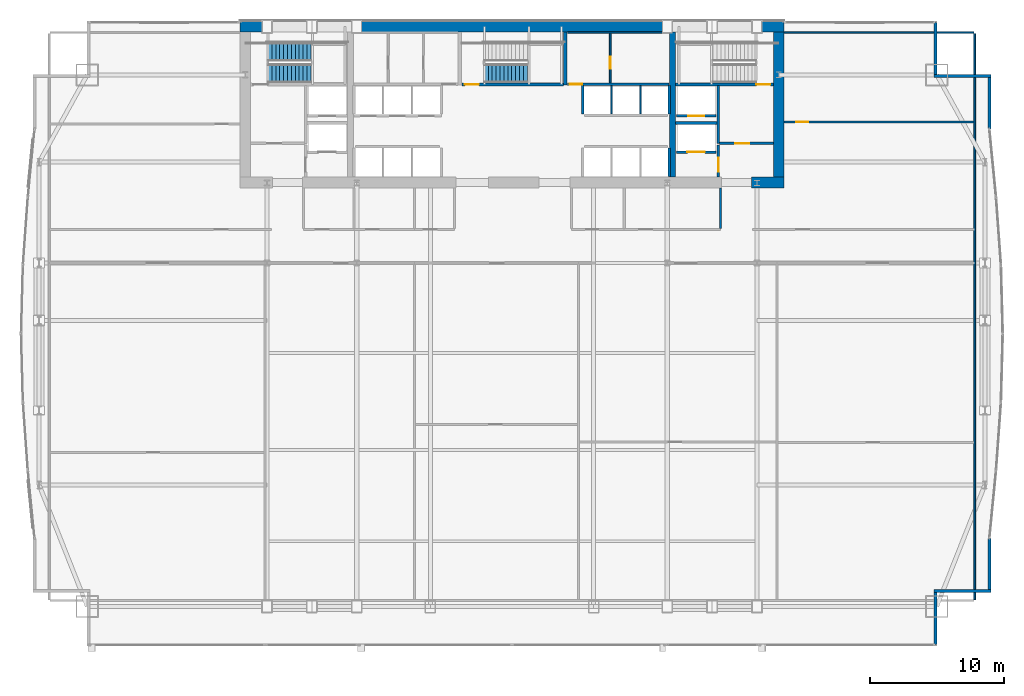
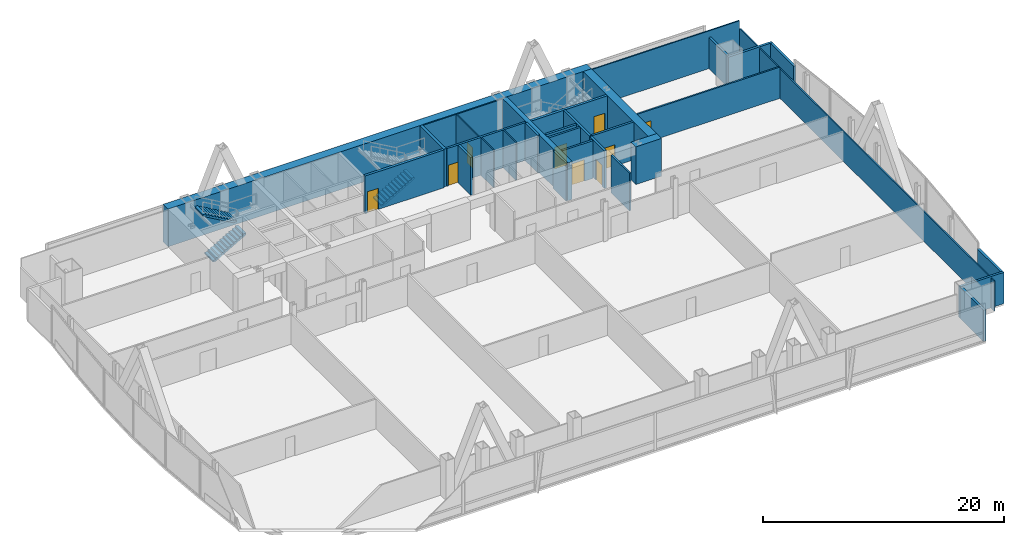
# One storey, part 30 of 33: 31 walls, 9 doors, 3 stair flights, 9 openings, 2 elements without a shape of their own.
"""IFC4 building model written with IfcOpenShell, lengths in metres."""

from ifc_helpers import new_model, si_unit, direction, frame, frame_2d, origin, place, context, subcontext, project, spatial, polyline, rectangle, outline, extrude, material, layer, layer_set, type_object, element, fill, aggregate, save


model = new_model("IFC4")

# Units and contexts
model_context = context("Model", 3, precision=1e-05, world=origin(), true_north=direction((0.0, 1.0)))
body_context = subcontext(model_context, "Body", "Model", "MODEL_VIEW")
ifc_project = project(units=[si_unit("LENGTHUNIT", "METRE"), si_unit("AREAUNIT", "SQUARE_METRE"), si_unit("VOLUMEUNIT", "CUBIC_METRE"), si_unit("PLANEANGLEUNIT", "RADIAN"), si_unit("MASSUNIT", "GRAM", prefix="KILO")], contexts=[model_context])

# Site, building, storey
site_placement = place(None, origin())
site = spatial("IfcSite", under=ifc_project, at=site_placement, CompositionType="ELEMENT")
building_placement = place(site_placement, origin())
building = spatial("IfcBuilding", under=site, at=building_placement, Name="Khoronbel Lancet Exchange", CompositionType="ELEMENT")
storey_placement = place(building_placement, frame((0.0, 0.0, 73.800048828125)))
storey = spatial("IfcBuildingStorey", under=building, at=storey_placement, Name="L17", CompositionType="ELEMENT", Elevation=73.800048828125)

# Walls
ifc_material_1 = material(Name="Concrete C80/95", Category="concrete")
ifc_layer_1 = layer(ifc_material_1, 0.800048828125, Name="Concrete C80/95")
ifc_layer_set_1 = layer_set([ifc_layer_1], Name="Concrete C80/95")
wall_type_1 = type_object("IfcWallType", Name="WL-CW1", PredefinedType="SHEAR", material=ifc_layer_set_1)
wall_1_placement = place(storey_placement, frame((16.199951171875, 53.300048828125, 0.0), z_axis=(0.0, 0.0, 1.0), x_axis=(1.0, 0.0, 0.0)))
element("IfcWall", 1, at=wall_1_placement, inside=storey, type_object=wall_type_1, Name="Level L17 rear core north shear wall", PredefinedType="SHEAR", context=body_context, shape_type="SweptSolid", body=[
    extrude(rectangle(XDim=40.5, YDim=0.800048828125, at=frame_2d((20.25, 0.0))), origin(), (0.0, 0.0, 1.0), 3.820068359375),
])
wall_2_placement = place(storey_placement, frame((56.300048828125, 52.89990234375, 0.0), z_axis=(0.0, 0.0, 1.0), x_axis=(0.0, -1.0, 0.0)))
element("IfcWall", 2, at=wall_2_placement, inside=storey, type_object=wall_type_1, Name="Level L17 rear core east shear wall", PredefinedType="SHEAR", context=body_context, shape_type="SweptSolid", body=[
    extrude(rectangle(XDim=10.7998046875, YDim=0.800048828125, at=frame_2d((5.39990234375, 0.0))), origin(), (0.0, 0.0, 1.0), 3.820068359375),
])
wall_3_placement = place(storey_placement, frame((56.699951171875, 41.699951171875, 0.0), z_axis=(0.0, 0.0, 1.0), x_axis=(-1.0, 0.0, 0.0)))
element("IfcWall", 3, at=wall_3_placement, inside=storey, type_object=wall_type_1, Name="Level L17 rear core south shear wall pier P5", PredefinedType="SHEAR", context=body_context, shape_type="SweptSolid", body=[
    extrude(rectangle(XDim=2.449951171875, YDim=0.800048828125, at=frame_2d((1.22509765625, 0.0))), origin(), (0.0, 0.0, 1.0), 3.820068359375),
])
ifc_material_2 = material(Name="Precast concrete C40/50", Category="concrete")
ifc_layer_2 = layer(ifc_material_2, 0.25, Name="Precast concrete C40/50")
ifc_layer_set_2 = layer_set([ifc_layer_2], Name="Precast concrete C40/50")
wall_type_2 = type_object("IfcWallType", Name="WL-EXT250", PredefinedType="SOLIDWALL", material=ifc_layer_set_2)
wall_4_placement = place(storey_placement, frame((67.9599609375, 53.6298828125, 0.0), z_axis=(0.0, 0.0, 1.0), x_axis=(0.0, -1.0, 0.0)))
element("IfcWall", 4, at=wall_4_placement, inside=storey, type_object=wall_type_2, Name="Level L17 notched-corner limestone pier 14", PredefinedType="SOLIDWALL", context=body_context, shape_type="SweptSolid", body=[
    extrude(rectangle(XDim=3.909912109375, YDim=0.219970703125, at=frame_2d((1.955078125, 0.0))), origin(), (0.0, 0.0, 1.0), 3.159912109375),
])
wall_5_placement = place(storey_placement, frame((67.85009765625, 49.610107421875, 0.0), z_axis=(0.0, 0.0, 1.0), x_axis=(1.0, 0.0, 0.0)))
element("IfcWall", 5, at=wall_5_placement, inside=storey, type_object=wall_type_2, Name="Level L17 notched-corner limestone pier 15", PredefinedType="SOLIDWALL", context=body_context, shape_type="SweptSolid", body=[
    extrude(rectangle(XDim=4.219970703125, YDim=0.219970703125, at=frame_2d((2.10986328125, 0.0))), origin(), (0.0, 0.0, 1.0), 3.159912109375),
])
for number, where, z_axis, x_axis, name in (
    (6, (71.9599609375, 49.5, 0.0), (0.0, 0.0, 1.0), (0.0, -1.0, 0.0), "Level L17 notched-corner limestone pier 16"),
    (7, (71.9599609375, 15.224365234375, 0.0), (0.0, 0.0, 1.0), (0.0, -1.0, 0.0), "Level L17 notched-corner limestone pier 23"),
):
    element("IfcWall", number, at=place(storey_placement, frame(where, z_axis=z_axis, x_axis=x_axis)), inside=storey, type_object=wall_type_2, Name=name, PredefinedType="SOLIDWALL", context=body_context, shape_type="SweptSolid", body=[
        extrude(rectangle(XDim=3.824462890625, YDim=0.219970703125, at=frame_2d((1.912109375, 0.0))), origin(), (0.0, 0.0, 1.0), 3.159912109375),
    ])
wall_6_placement = place(storey_placement, frame((72.070068359375, 11.2900390625, 0.0), z_axis=(0.0, 0.0, 1.0), x_axis=(-1.0, 0.0, 0.0)))
element("IfcWall", 8, at=wall_6_placement, inside=storey, type_object=wall_type_2, Name="Level L17 notched-corner limestone pier 24", PredefinedType="SOLIDWALL", context=body_context, shape_type="SweptSolid", body=[
    extrude(rectangle(XDim=4.219970703125, YDim=0.219970703125, at=frame_2d((2.10986328125, 0.0))), origin(), (0.0, 0.0, 1.0), 3.159912109375),
])
wall_7_placement = place(storey_placement, frame((67.9599609375, 11.179931640625, 0.0), z_axis=(0.0, 0.0, 1.0), x_axis=(0.0, -1.0, 0.0)))
element("IfcWall", 9, at=wall_7_placement, inside=storey, type_object=wall_type_2, Name="Level L17 notched-corner limestone pier 25", PredefinedType="SOLIDWALL", context=body_context, shape_type="SweptSolid", body=[
    extrude(rectangle(XDim=3.909912109375, YDim=0.219970703125, at=frame_2d((1.955078125, 0.0))), origin(), (0.0, 0.0, 1.0), 3.159912109375),
])
ifc_material_3 = material(Name="Acoustic Metal-Stud & Mineral-Wool Gypsum Partition 120 mm", Category="gypsum")
ifc_layer_3 = layer(ifc_material_3, 0.1201171875, Name="Acoustic Metal-Stud & Mineral-Wool Gypsum Partition 120 mm")
ifc_layer_set_3 = layer_set([ifc_layer_3], Name="Acoustic Metal-Stud & Mineral-Wool Gypsum Partition 120 mm")
wall_type_3 = type_object("IfcWallType", Name="WL-PRT120", PredefinedType="PARTITIONING", material=ifc_layer_set_3)
wall_8_placement = place(storey_placement, frame((51.949951171875, 38.280029296875, 0.0), z_axis=(0.0, 0.0, 1.0), x_axis=(0.0, 1.0, 0.0)))
element("IfcWall", 10, at=wall_8_placement, inside=storey, type_object=wall_type_3, Name="Level L17 interior partition PW-NP-1", PredefinedType="PARTITIONING", context=body_context, shape_type="SweptSolid", body=[
    extrude(rectangle(XDim=3.02001953125, YDim=0.14990234375, at=frame_2d((1.510009765625, 0.0))), origin(), (0.0, 0.0, 1.0), 3.820068359375),
])

# Wall, opening, door
wall_9_placement = place(storey_placement, frame((56.699951171875, 46.199951171875, 0.0), z_axis=(0.0, 0.0, 1.0), x_axis=(1.0, 0.0, 0.0)))
wall_9 = element("IfcWall", 11, at=wall_9_placement, inside=storey, type_object=wall_type_3, Name="Level L17 interior partition PW-NE-H", PredefinedType="PARTITIONING", context=body_context, shape_type="SweptSolid", body=[
    extrude(rectangle(XDim=14.10498046875, YDim=0.14990234375, at=frame_2d((7.052490234375, 0.0))), origin(), (0.0, 0.0, 1.0), 3.159912109375),
])
opening_1_placement = place(wall_9_placement, frame((0.89990234375, 0.0, 0.0)))
opening_1 = element("IfcOpeningElement", 12, at=opening_1_placement, cuts=wall_9, Name="Opening D5", PredefinedType="OPENING", context=body_context, shape_type="SweptSolid", body=[
    extrude(rectangle(XDim=0.89990234375, YDim=2.050048828125, at=frame_2d((0.449951171875, 1.02490234375))), frame((0.0, 0.0849609375, 0.0), z_axis=(0.0, -1.0, 0.0), x_axis=(1.0, 0.0, 0.0)), (0.0, 0.0, 1.0), 0.169921875),
])
ifc_material_4 = material(Name="Acoustic Timber Pantry & Support Door", Category="wood")
door_type_1 = type_object("IfcDoorType", Name="DR-D5", OperationType="NOTDEFINED", PredefinedType="DOOR", material=ifc_material_4)
door_1_placement = place(opening_1_placement, origin())
door_1 = element("IfcDoor", 13, at=door_1_placement, inside=storey, type_object=door_type_1, Name="NE north room door L17-1", OperationType="SINGLE_SWING_LEFT", OverallHeight=2.050048828125, OverallWidth=0.89990234375, PredefinedType="DOOR", context=body_context, shape_type="SweptSolid", body=[
    extrude(rectangle(XDim=0.89990234375, YDim=2.050048828125, at=frame_2d((0.449951171875, 1.02490234375))), frame((0.0, 0.02490234375, 0.0), z_axis=(0.0, -1.0, 0.0), x_axis=(1.0, 0.0, 0.0)), (0.0, 0.0, 1.0), 0.050048828125),
])
fill(opening_1, door_1)

# Walls
wall_10_placement = place(storey_placement, frame((70.8701171875, 10.6650390625, 0.0), z_axis=(0.0, 0.0, 1.0), x_axis=(0.0, 1.0, 0.0)))
element("IfcWall", 14, at=wall_10_placement, inside=storey, type_object=wall_type_3, Name="Level L17 interior partition PW-LIN-E", PredefinedType="PARTITIONING", context=body_context, shape_type="SweptSolid", body=[
    extrude(rectangle(XDim=42.10986328125, YDim=0.1201171875, at=frame_2d((21.054931640625, 0.0))), origin(), (0.0, 0.0, 1.0), 3.010009765625),
])
wall_11_placement = place(storey_placement, frame((56.699951171875, 52.840087890625, 0.0), z_axis=(0.0, 0.0, 1.0), x_axis=(1.0, 0.0, 0.0)))
element("IfcWall", 15, at=wall_11_placement, inside=storey, type_object=wall_type_3, Name="Level L17 interior partition PW-LIN-NE", PredefinedType="PARTITIONING", context=body_context, shape_type="SweptSolid", body=[
    extrude(rectangle(XDim=14.10498046875, YDim=0.1201171875, at=frame_2d((7.052490234375, 0.0))), origin(), (0.0, 0.0, 1.0), 3.820068359375),
])
ifc_material_5 = material(Name="Fire-Rated Metal-Stud & Mineral-Wool Gypsum Partition 120 mm", Category="gypsum")
ifc_layer_4 = layer(ifc_material_5, 0.1201171875, Name="Fire-Rated Metal-Stud & Mineral-Wool Gypsum Partition 120 mm")
ifc_layer_set_4 = layer_set([ifc_layer_4], Name="Fire-Rated Metal-Stud & Mineral-Wool Gypsum Partition 120 mm")
wall_type_4 = type_object("IfcWallType", Name="WL-PRT120F", PredefinedType="PARTITIONING", material=ifc_layer_set_4)
for number, where, z_axis, x_axis, name in (
    (16, (43.860107421875, 46.804931640625, 0.0), (0.0, 0.0, 1.0), (0.0, 1.0, 0.0), "Level L17 interior partition CW-PH-D1"),
    (17, (46.0, 46.804931640625, 0.0), (0.0, 0.0, 1.0), (0.0, 1.0, 0.0), "Level L17 interior partition CW-PH-D2"),
):
    element("IfcWall", number, at=place(storey_placement, frame(where, z_axis=z_axis, x_axis=x_axis)), inside=storey, type_object=wall_type_4, Name=name, PredefinedType="PARTITIONING", context=body_context, shape_type="SweptSolid", body=[
        extrude(rectangle(XDim=2.090087890625, YDim=0.1201171875, at=frame_2d((1.044921875, 0.0))), origin(), (0.0, 0.0, 1.0), 3.820068359375),
    ])
wall_12_placement = place(storey_placement, frame((40.580078125, 52.860107421875, 0.0), z_axis=(0.0, 0.0, 1.0), x_axis=(1.0, 0.0, 0.0)))
element("IfcWall", 18, at=wall_12_placement, inside=storey, type_object=wall_type_4, Name="Level L17 interior partition CW-SUP-NE-N", PredefinedType="PARTITIONING", context=body_context, shape_type="SweptSolid", body=[
    extrude(rectangle(XDim=7.559814453125, YDim=0.1201171875, at=frame_2d((3.77978515625, 0.0))), origin(), (0.0, 0.0, 1.0), 3.820068359375),
])

# Wall, opening, door
wall_13_placement = place(storey_placement, frame((43.755126953125, 49.10498046875, 0.0), z_axis=(0.0, 0.0, 1.0), x_axis=(0.0, 1.0, 0.0)))
wall_13 = element("IfcWall", 19, at=wall_13_placement, inside=storey, type_object=wall_type_4, Name="Level L17 interior partition CW-SUP-NE-M", PredefinedType="PARTITIONING", context=body_context, shape_type="SweptSolid", body=[
    extrude(rectangle(XDim=3.68994140625, YDim=0.1201171875, at=frame_2d((1.844970703125, 0.0))), origin(), (0.0, 0.0, 1.0), 3.820068359375),
])
opening_2_placement = place(wall_13_placement, frame((1.050048828125, 0.0, 0.0)))
opening_2 = element("IfcOpeningElement", 20, at=opening_2_placement, cuts=wall_13, Name="Opening FD4", PredefinedType="OPENING", context=body_context, shape_type="SweptSolid", body=[
    extrude(rectangle(XDim=0.89990234375, YDim=2.050048828125, at=frame_2d((0.449951171875, 1.02490234375))), frame((0.0, 0.070068359375, 0.0), z_axis=(0.0, -1.0, 0.0), x_axis=(1.0, 0.0, 0.0)), (0.0, 0.0, 1.0), 0.14013671875),
])
ifc_material_6 = material(Name="Fire-Rated Steel Core Support Door Assembly", Category="steel")
door_type_2 = type_object("IfcDoorType", Name="DR-FD4", OperationType="NOTDEFINED", PredefinedType="DOOR", material=ifc_material_6)
door_2_placement = place(opening_2_placement, origin())
door_2 = element("IfcDoor", 21, at=door_2_placement, inside=storey, type_object=door_type_2, Name="Core NE inner support door L17-1", OperationType="SINGLE_SWING_RIGHT", OverallHeight=2.050048828125, OverallWidth=0.89990234375, PredefinedType="DOOR", context=body_context, shape_type="SweptSolid", body=[
    extrude(rectangle(XDim=0.89990234375, YDim=2.050048828125, at=frame_2d((0.449951171875, 1.02490234375))), frame((0.0, 0.02490234375, 0.0), z_axis=(0.0, -1.0, 0.0), x_axis=(1.0, 0.0, 0.0)), (0.0, 0.0, 1.0), 0.050048828125),
])
fill(opening_2, door_2)

ifc_material_7 = material(Name="Autoclaved Aerated Concrete Blockwork 200 mm", Category="masonry")
ifc_layer_5 = layer(ifc_material_7, 0.199951171875, Name="Autoclaved Aerated Concrete Blockwork 200 mm")
ifc_layer_set_5 = layer_set([ifc_layer_5], Name="Autoclaved Aerated Concrete Blockwork 200 mm")
wall_type_5 = type_object("IfcWallType", Name="WL-PRT200", PredefinedType="PARTITIONING", material=ifc_layer_set_5)
wall_14_placement = place(storey_placement, frame((51.610107421875, 43.949951171875, 0.0), z_axis=(0.0, 0.0, 1.0), x_axis=(-1.0, 0.0, 0.0)))
wall_14 = element("IfcWall", 22, at=wall_14_placement, inside=storey, type_object=wall_type_5, Name="Level L17 elevator hoistway landing front wall SVLE", PredefinedType="PARTITIONING", context=body_context, shape_type="SweptSolid", body=[
    extrude(rectangle(XDim=2.920166015625, YDim=0.199951171875, at=frame_2d((1.4599609375, 0.0))), origin(), (0.0, 0.0, 1.0), 3.820068359375),
])
opening_3_placement = place(wall_14_placement, frame((0.81005859375, 0.0, 0.0)))
opening_3 = element("IfcOpeningElement", 23, at=opening_3_placement, cuts=wall_14, Name="Opening LD-SVL2", PredefinedType="OPENING", context=body_context, shape_type="SweptSolid", body=[
    extrude(rectangle(XDim=1.300048828125, YDim=2.179931640625, at=frame_2d((0.64990234375, 1.08984375))), frame((0.0, 0.10986328125, 0.0), z_axis=(0.0, -1.0, 0.0), x_axis=(1.0, 0.0, 0.0)), (0.0, 0.0, 1.0), 0.219970703125),
])
ifc_material_8 = material(Name="Heavy-Duty Bi-Parting Goods Lift Landing Door", Category="steel")
door_type_3 = type_object("IfcDoorType", Name="DR-LD-SVL", OperationType="NOTDEFINED", PredefinedType="DOOR", material=ifc_material_8)
door_3_placement = place(opening_3_placement, origin())
door_3 = element("IfcDoor", 24, at=door_3_placement, inside=storey, type_object=door_type_3, Name="Elevator landing sliding door LD-SVL2 L17", OperationType="SLIDING_TO_LEFT", OverallHeight=2.179931640625, OverallWidth=1.300048828125, PredefinedType="DOOR", context=body_context, shape_type="SweptSolid", body=[
    extrude(rectangle(XDim=1.300048828125, YDim=2.179931640625, at=frame_2d((0.64990234375, 1.08984375))), frame((0.0, 0.02490234375, 0.0), z_axis=(0.0, -1.0, 0.0), x_axis=(1.0, 0.0, 0.0)), (0.0, 0.0, 1.0), 0.050048828125),
])
fill(opening_3, door_3)

wall_15_placement = place(storey_placement, frame((51.610107421875, 46.64990234375, 0.0), z_axis=(0.0, 0.0, 1.0), x_axis=(-1.0, 0.0, 0.0)))
wall_15 = element("IfcWall", 25, at=wall_15_placement, inside=storey, type_object=wall_type_5, Name="Level L17 elevator hoistway landing front wall FFLE", PredefinedType="PARTITIONING", context=body_context, shape_type="SweptSolid", body=[
    extrude(rectangle(XDim=2.920166015625, YDim=0.199951171875, at=frame_2d((1.4599609375, 0.0))), origin(), (0.0, 0.0, 1.0), 3.820068359375),
])
opening_4_placement = place(wall_15_placement, frame((0.860107421875, 0.0, 0.0)))
opening_4 = element("IfcOpeningElement", 26, at=opening_4_placement, cuts=wall_15, Name="Opening LD-FFL2", PredefinedType="OPENING", context=body_context, shape_type="SweptSolid", body=[
    extrude(rectangle(XDim=1.199951171875, YDim=2.179931640625, at=frame_2d((0.60009765625, 1.08984375))), frame((0.0, 0.10986328125, 0.0), z_axis=(0.0, -1.0, 0.0), x_axis=(1.0, 0.0, 0.0)), (0.0, 0.0, 1.0), 0.219970703125),
])
ifc_material_9 = material(Name="Fire-Rated Stainless Bi-Parting Firefighting Lift Door", Category="steel")
door_type_4 = type_object("IfcDoorType", Name="DR-LD-FFL", OperationType="NOTDEFINED", PredefinedType="DOOR", material=ifc_material_9)
door_4_placement = place(opening_4_placement, origin())
door_4 = element("IfcDoor", 27, at=door_4_placement, inside=storey, type_object=door_type_4, Name="Elevator landing sliding door LD-FFL2 L17", OperationType="SLIDING_TO_LEFT", OverallHeight=2.179931640625, OverallWidth=1.199951171875, PredefinedType="DOOR", context=body_context, shape_type="SweptSolid", body=[
    extrude(rectangle(XDim=1.199951171875, YDim=2.179931640625, at=frame_2d((0.60009765625, 1.08984375))), frame((0.0, 0.02490234375, 0.0), z_axis=(0.0, -1.0, 0.0), x_axis=(1.0, 0.0, 0.0)), (0.0, 0.0, 1.0), 0.050048828125),
])
fill(opening_4, door_4)

# Wall
wall_16_placement = place(storey_placement, frame((51.800048828125, 44.60009765625, 0.0), z_axis=(0.0, 0.0, 1.0), x_axis=(0.0, 1.0, 0.0)))
element("IfcWall", 28, at=wall_16_placement, inside=storey, type_object=wall_type_5, Name="Level L17 interior partition CW-FFLE-W", PredefinedType="PARTITIONING", context=body_context, shape_type="SweptSolid", body=[
    extrude(rectangle(XDim=4.2998046875, YDim=0.199951171875, at=frame_2d((2.14990234375, 0.0))), origin(), (0.0, 0.0, 1.0), 3.820068359375),
])

# Wall, opening, door
wall_17_placement = place(storey_placement, frame((51.89990234375, 44.60009765625, 0.0), z_axis=(0.0, 0.0, 1.0), x_axis=(1.0, 0.0, 0.0)))
wall_17 = element("IfcWall", 29, at=wall_17_placement, inside=storey, type_object=wall_type_5, Name="Level L17 interior partition CW-FFLE-S", PredefinedType="PARTITIONING", context=body_context, shape_type="SweptSolid", body=[
    extrude(rectangle(XDim=4.0, YDim=0.199951171875, at=frame_2d((2.0, 0.0))), origin(), (0.0, 0.0, 1.0), 3.820068359375),
])
opening_5_placement = place(wall_17_placement, frame((1.14990234375, 0.0, 0.0)))
opening_5 = element("IfcOpeningElement", 30, at=opening_5_placement, cuts=wall_17, Name="Opening FD1", PredefinedType="OPENING", context=body_context, shape_type="SweptSolid", body=[
    extrude(rectangle(XDim=1.050048828125, YDim=2.14990234375, at=frame_2d((0.52490234375, 1.074951171875))), frame((0.0, 0.10986328125, 0.0), z_axis=(0.0, -1.0, 0.0), x_axis=(1.0, 0.0, 0.0)), (0.0, 0.0, 1.0), 0.219970703125),
])
ifc_material_10 = material(Name="Fire-Rated Painted Steel Door Assembly", Category="steel")
door_type_5 = type_object("IfcDoorType", Name="DR-FD1", OperationType="NOTDEFINED", PredefinedType="DOOR", material=ifc_material_10)
door_5_placement = place(opening_5_placement, origin())
door_5 = element("IfcDoor", 31, at=door_5_placement, inside=storey, type_object=door_type_5, Name="East firefighting lobby FD90S door L17-1", OperationType="SINGLE_SWING_RIGHT", OverallHeight=2.14990234375, OverallWidth=1.050048828125, PredefinedType="DOOR", context=body_context, shape_type="SweptSolid", body=[
    extrude(rectangle(XDim=1.050048828125, YDim=2.14990234375, at=frame_2d((0.52490234375, 1.074951171875))), frame((0.0, 0.02490234375, 0.0), z_axis=(0.0, -1.0, 0.0), x_axis=(1.0, 0.0, 0.0)), (0.0, 0.0, 1.0), 0.050048828125),
])
fill(opening_5, door_5)

# Wall
wall_18_placement = place(storey_placement, frame((48.6298828125, 46.1201171875, 0.0), z_axis=(0.0, 0.0, 1.0), x_axis=(1.0, 0.0, 0.0)))
element("IfcWall", 32, at=wall_18_placement, inside=storey, type_object=wall_type_5, Name="Level L17 interior partition CW-FFL2-S", PredefinedType="PARTITIONING", context=body_context, shape_type="SweptSolid", body=[
    extrude(rectangle(XDim=3.070068359375, YDim=0.199951171875, at=frame_2d((1.53515625, 0.0))), origin(), (0.0, 0.0, 1.0), 3.820068359375),
])

# Wall, opening, door
wall_19_placement = place(storey_placement, frame((51.800048828125, 42.10009765625, 0.0), z_axis=(0.0, 0.0, 1.0), x_axis=(0.0, 1.0, 0.0)))
wall_19 = element("IfcWall", 33, at=wall_19_placement, inside=storey, type_object=wall_type_5, Name="Level L17 interior partition CW-SVLE-E", PredefinedType="PARTITIONING", context=body_context, shape_type="SweptSolid", body=[
    extrude(rectangle(XDim=2.39501953125, YDim=0.199951171875, at=frame_2d((1.197509765625, 0.0))), origin(), (0.0, 0.0, 1.0), 3.820068359375),
])
opening_6_placement = place(wall_19_placement, frame((0.3798828125, 0.0, 0.0)))
opening_6 = element("IfcOpeningElement", 34, at=opening_6_placement, cuts=wall_19, Name="Opening FD1", PredefinedType="OPENING", context=body_context, shape_type="SweptSolid", body=[
    extrude(rectangle(XDim=1.050048828125, YDim=2.14990234375, at=frame_2d((0.52490234375, 1.074951171875))), frame((0.0, 0.10986328125, 0.0), z_axis=(0.0, -1.0, 0.0), x_axis=(1.0, 0.0, 0.0)), (0.0, 0.0, 1.0), 0.219970703125),
])
door_6_placement = place(opening_6_placement, origin())
door_6 = element("IfcDoor", 35, at=door_6_placement, inside=storey, type_object=door_type_5, Name="East service lift lobby door L17-1", OperationType="SINGLE_SWING_LEFT", OverallHeight=2.14990234375, OverallWidth=1.050048828125, PredefinedType="DOOR", context=body_context, shape_type="SweptSolid", body=[
    extrude(rectangle(XDim=1.050048828125, YDim=2.14990234375, at=frame_2d((0.52490234375, 1.074951171875))), frame((0.0, 0.02490234375, 0.0), z_axis=(0.0, -1.0, 0.0), x_axis=(1.0, 0.0, 0.0)), (0.0, 0.0, 1.0), 0.050048828125),
])
fill(opening_6, door_6)

# Walls
for number, where, z_axis, x_axis, name in (
    (36, (41.719970703125, 46.804931640625, 0.0), (0.0, 0.0, 1.0), (0.0, 1.0, 0.0), "Level L17 interior partition CW-PH-W"),
    (37, (48.139892578125, 46.804931640625, 0.0), (0.0, 0.0, 1.0), (0.0, 1.0, 0.0), "Level L17 interior partition CW-PH-E"),
):
    element("IfcWall", number, at=place(storey_placement, frame(where, z_axis=z_axis, x_axis=x_axis)), inside=storey, type_object=wall_type_5, Name=name, PredefinedType="PARTITIONING", context=body_context, shape_type="SweptSolid", body=[
        extrude(rectangle(XDim=2.090087890625, YDim=0.199951171875, at=frame_2d((1.044921875, 0.0))), origin(), (0.0, 0.0, 1.0), 3.820068359375),
    ])
wall_20_placement = place(storey_placement, frame((48.139892578125, 42.14990234375, 0.0), z_axis=(0.0, 0.0, 1.0), x_axis=(0.0, 1.0, 0.0)))
element("IfcWall", 38, at=wall_20_placement, inside=storey, type_object=wall_type_5, Name="Level L17 interior partition CW-PX-E", PredefinedType="PARTITIONING", context=body_context, shape_type="SweptSolid", body=[
    extrude(rectangle(XDim=2.09521484375, YDim=0.199951171875, at=frame_2d((1.047607421875, 0.0))), origin(), (0.0, 0.0, 1.0), 3.820068359375),
])

# Wall, opening, door
wall_21_placement = place(storey_placement, frame((40.580078125, 49.0, 0.0), z_axis=(0.0, 0.0, 1.0), x_axis=(1.0, 0.0, 0.0)))
wall_21 = element("IfcWall", 39, at=wall_21_placement, inside=storey, type_object=wall_type_5, Name="Level L17 interior partition CW-SUP-NE-S", PredefinedType="PARTITIONING", context=body_context, shape_type="SweptSolid", body=[
    extrude(rectangle(XDim=7.559814453125, YDim=0.199951171875, at=frame_2d((3.77978515625, 0.0))), origin(), (0.0, 0.0, 1.0), 3.820068359375),
])
opening_7_placement = place(wall_21_placement, frame((0.159912109375, 0.0, 0.0)))
opening_7 = element("IfcOpeningElement", 40, at=opening_7_placement, cuts=wall_21, Name="Opening FD3", PredefinedType="OPENING", context=body_context, shape_type="SweptSolid", body=[
    extrude(rectangle(XDim=0.949951171875, YDim=2.10009765625, at=frame_2d((0.47509765625, 1.050048828125))), frame((0.0, 0.10986328125, 0.0), z_axis=(0.0, -1.0, 0.0), x_axis=(1.0, 0.0, 0.0)), (0.0, 0.0, 1.0), 0.219970703125),
])
ifc_material_11 = material(Name="Fire-Rated Steel Plant & Riser Door Assembly", Category="steel")
door_type_6 = type_object("IfcDoorType", Name="DR-FD3", OperationType="NOTDEFINED", PredefinedType="DOOR", material=ifc_material_11)
door_7_placement = place(opening_7_placement, origin())
door_7 = element("IfcDoor", 41, at=door_7_placement, inside=storey, type_object=door_type_6, Name="Core NE support room door L17-1", OperationType="SINGLE_SWING_LEFT", OverallHeight=2.10009765625, OverallWidth=0.949951171875, PredefinedType="DOOR", context=body_context, shape_type="SweptSolid", body=[
    extrude(rectangle(XDim=0.949951171875, YDim=2.10009765625, at=frame_2d((0.47509765625, 1.050048828125))), frame((0.0, 0.02490234375, 0.0), z_axis=(0.0, -1.0, 0.0), x_axis=(1.0, 0.0, 0.0)), (0.0, 0.0, 1.0), 0.050048828125),
])
fill(opening_7, door_7)

# Walls
ifc_layer_6 = layer(ifc_material_1, 0.449951171875, Name="Concrete C80/95")
ifc_layer_set_6 = layer_set([ifc_layer_6], Name="Concrete C80/95")
wall_type_6 = type_object("IfcWallType", Name="WL-SW1", PredefinedType="SHEAR", material=ifc_layer_set_6)
wall_22_placement = place(storey_placement, frame((48.39990234375, 42.10009765625, 0.0), z_axis=(0.0, 0.0, 1.0), x_axis=(0.0, 1.0, 0.0)))
element("IfcWall", 42, at=wall_22_placement, inside=storey, type_object=wall_type_6, Name="Level L17 rear core internal spine shear wall IE", PredefinedType="SHEAR", context=body_context, shape_type="SweptSolid", body=[
    extrude(rectangle(XDim=10.7998046875, YDim=0.449951171875, at=frame_2d((5.39990234375, 0.0))), origin(), (0.0, 0.0, 1.0), 3.820068359375),
])
ifc_material_12 = material(Name="Concrete C60/75", Category="concrete")
ifc_layer_7 = layer(ifc_material_12, 0.260009765625, Name="Concrete C60/75")
ifc_layer_set_7 = layer_set([ifc_layer_7], Name="Concrete C60/75")
wall_type_7 = type_object("IfcWallType", Name="WL-SW3", PredefinedType="SHEAR", material=ifc_layer_set_7)
wall_23_placement = place(storey_placement, frame((40.419921875, 48.949951171875, 0.0), z_axis=(0.0, 0.0, 1.0), x_axis=(0.0, 1.0, 0.0)))
element("IfcWall", 43, at=wall_23_placement, inside=storey, type_object=wall_type_7, Name="Level L17 central stairwell structural shear wall ST3E", PredefinedType="SHEAR", context=body_context, shape_type="SweptSolid", body=[
    extrude(rectangle(XDim=3.949951171875, YDim=0.260009765625, at=frame_2d((1.97509765625, 0.0))), origin(), (0.0, 0.0, 1.0), 3.820068359375),
])

# Wall, opening, door
wall_24_placement = place(storey_placement, frame((48.6298828125, 48.97998046875, 0.0), z_axis=(0.0, 0.0, 1.0), x_axis=(1.0, 0.0, 0.0)))
wall_24 = element("IfcWall", 44, at=wall_24_placement, inside=storey, type_object=wall_type_7, Name="Level L17 east stairwell structural south wall", PredefinedType="SHEAR", context=body_context, shape_type="SweptSolid", body=[
    extrude(rectangle(XDim=7.27001953125, YDim=0.239990234375, at=frame_2d((3.635009765625, 0.0))), origin(), (0.0, 0.0, 1.0), 3.820068359375),
])
opening_8_placement = place(wall_24_placement, frame((6.0, 0.0, 0.0)))
opening_8 = element("IfcOpeningElement", 45, at=opening_8_placement, cuts=wall_24, Name="Opening SD1", PredefinedType="OPENING", context=body_context, shape_type="SweptSolid", body=[
    extrude(rectangle(XDim=1.050048828125, YDim=2.14990234375, at=frame_2d((0.52490234375, 1.074951171875))), frame((0.0, 0.1298828125, 0.0), z_axis=(0.0, -1.0, 0.0), x_axis=(1.0, 0.0, 0.0)), (0.0, 0.0, 1.0), 0.260009765625),
])
ifc_material_13 = material(Name="Fire-Rated Steel Stairwell Door Assembly", Category="steel")
door_type_7 = type_object("IfcDoorType", Name="DR-SD1", OperationType="NOTDEFINED", PredefinedType="DOOR", material=ifc_material_13)
door_8_placement = place(opening_8_placement, origin())
door_8 = element("IfcDoor", 46, at=door_8_placement, inside=storey, type_object=door_type_7, Name="Protected exit stair ST2 door L17", OperationType="SINGLE_SWING_RIGHT", OverallHeight=2.14990234375, OverallWidth=1.050048828125, PredefinedType="DOOR", context=body_context, shape_type="SweptSolid", body=[
    extrude(rectangle(XDim=1.050048828125, YDim=2.14990234375, at=frame_2d((0.52490234375, 1.074951171875))), frame((0.0, 0.02490234375, 0.0), z_axis=(0.0, -1.0, 0.0), x_axis=(1.0, 0.0, 0.0)), (0.0, 0.0, 1.0), 0.050048828125),
])
fill(opening_8, door_8)

wall_25_placement = place(storey_placement, frame((32.719970703125, 48.97998046875, 0.0), z_axis=(0.0, 0.0, 1.0), x_axis=(1.0, 0.0, 0.0)))
wall_25 = element("IfcWall", 47, at=wall_25_placement, inside=storey, type_object=wall_type_7, Name="Level L17 central stairwell structural south wall", PredefinedType="SHEAR", context=body_context, shape_type="SweptSolid", body=[
    extrude(rectangle(XDim=7.56005859375, YDim=0.239990234375, at=frame_2d((3.780029296875, 0.0))), origin(), (0.0, 0.0, 1.0), 3.820068359375),
])
opening_9_placement = place(wall_25_placement, frame((0.219970703125, 0.0, 0.0)))
opening_9 = element("IfcOpeningElement", 48, at=opening_9_placement, cuts=wall_25, Name="Opening SD1", PredefinedType="OPENING", context=body_context, shape_type="SweptSolid", body=[
    extrude(rectangle(XDim=1.050048828125, YDim=2.14990234375, at=frame_2d((0.52490234375, 1.074951171875))), frame((0.0, 0.1298828125, 0.0), z_axis=(0.0, -1.0, 0.0), x_axis=(1.0, 0.0, 0.0)), (0.0, 0.0, 1.0), 0.260009765625),
])
door_9_placement = place(opening_9_placement, origin())
door_9 = element("IfcDoor", 49, at=door_9_placement, inside=storey, type_object=door_type_7, Name="Protected exit stair ST3 door L17", OperationType="SINGLE_SWING_LEFT", OverallHeight=2.14990234375, OverallWidth=1.050048828125, PredefinedType="DOOR", context=body_context, shape_type="SweptSolid", body=[
    extrude(rectangle(XDim=1.050048828125, YDim=2.14990234375, at=frame_2d((0.52490234375, 1.074951171875))), frame((0.0, 0.02490234375, 0.0), z_axis=(0.0, -1.0, 0.0), x_axis=(1.0, 0.0, 0.0)), (0.0, 0.0, 1.0), 0.050048828125),
])
fill(opening_9, door_9)

# Stair, stair flights
ifc_material_14 = material(Name="Concrete C40/50", Category="concrete")
stair_type = type_object("IfcStairType", Name="STR-CORE150", PredefinedType="HALF_TURN_STAIR", material=ifc_material_14)
stair_1_placement = place(storey_placement, origin())
stair_1 = element("IfcStair", 50, at=stair_1_placement, inside=storey, type_object=stair_type, Name="L17 Protected Exit Stair ST1", PredefinedType="HALF_TURN_STAIR")
stair_flight_type = type_object("IfcStairFlightType", Name="STF-150", PredefinedType="STRAIGHT", material=ifc_material_14)
stair_flight_1_placement = place(storey_placement, frame((18.300048828125, 49.81005859375, 0.0), z_axis=(0.0, 0.0, 1.0), x_axis=(1.0, 0.0, 0.0)))
stair_flight_1 = element("IfcStairFlight", 51, at=stair_flight_1_placement, type_object=stair_flight_type, Name="ST1 flight 1", NumberOfRisers=12, NumberOfTreads=11, PredefinedType="STRAIGHT", RiserHeight=0.166666667, TreadLength=0.29, context=body_context, shape_type="SweptSolid", body=[
    extrude(outline(polyline([(0.0, 0.0), (0.0, 0.166748046875), (0.2900390625, 0.166748046875), (0.2900390625, 0.333251953125), (0.580078125, 0.333251953125), (0.580078125, 0.5), (0.8701171875, 0.5), (0.8701171875, 0.666748046875), (1.159912109375, 0.666748046875), (1.159912109375, 0.833251953125), (1.449951171875, 0.833251953125), (1.449951171875, 1.0), (1.739990234375, 1.0), (1.739990234375, 1.166748046875), (2.030029296875, 1.166748046875), (2.030029296875, 1.333251953125), (2.320068359375, 1.333251953125), (2.320068359375, 1.5), (2.610107421875, 1.5), (2.610107421875, 1.666748046875), (2.89990234375, 1.666748046875), (2.89990234375, 1.833251953125), (3.18994140625, 1.833251953125), (3.18994140625, 2.0), (3.18994140625, 1.660400390625), (0.30078125, 0.0), (0.0, 0.0)])), frame((0.0, 0.68994140625, 0.0), z_axis=(0.0, -1.0, 0.0), x_axis=(1.0, 0.0, 0.0)), (0.0, 0.0, 1.0), 1.3798828125),
])
stair_flight_2_placement = place(storey_placement, frame((21.489990234375, 51.409912109375, 2.0), z_axis=(0.0, 0.0, 1.0), x_axis=(-1.0, 0.0, 0.0)))
stair_flight_2 = element("IfcStairFlight", 52, at=stair_flight_2_placement, type_object=stair_flight_type, Name="ST1 flight 2", NumberOfRisers=12, NumberOfTreads=11, PredefinedType="STRAIGHT", RiserHeight=0.166666667, TreadLength=0.29, context=body_context, shape_type="SweptSolid", body=[
    extrude(outline(polyline([(0.0, 0.0), (0.0, 0.166748046875), (0.2900390625, 0.166748046875), (0.2900390625, 0.333251953125), (0.580078125, 0.333251953125), (0.580078125, 0.5), (0.8701171875, 0.5), (0.8701171875, 0.666748046875), (1.159912109375, 0.666748046875), (1.159912109375, 0.833251953125), (1.449951171875, 0.833251953125), (1.449951171875, 1.0), (1.739990234375, 1.0), (1.739990234375, 1.166748046875), (2.030029296875, 1.166748046875), (2.030029296875, 1.333251953125), (2.320068359375, 1.333251953125), (2.320068359375, 1.5), (2.610107421875, 1.5), (2.610107421875, 1.666748046875), (2.89990234375, 1.666748046875), (2.89990234375, 1.833251953125), (3.18994140625, 1.833251953125), (3.18994140625, 2.0), (3.18994140625, 1.660400390625), (0.30078125, 0.0), (0.0, 0.0)])), frame((0.0, 0.68994140625, 0.0), z_axis=(0.0, -1.0, 0.0), x_axis=(1.0, 0.0, 0.0)), (0.0, 0.0, 1.0), 1.3798828125),
])
aggregate(stair_1, [stair_flight_1, stair_flight_2])

# Stair, stair flight
stair_2_placement = place(storey_placement, origin())
stair_2 = element("IfcStair", 53, at=stair_2_placement, inside=storey, type_object=stair_type, Name="L17 Protected Exit Stair ST3", PredefinedType="HALF_TURN_STAIR")
stair_flight_3_placement = place(storey_placement, frame((34.39990234375, 49.81005859375, 0.0), z_axis=(0.0, 0.0, 1.0), x_axis=(1.0, 0.0, 0.0)))
stair_flight_3 = element("IfcStairFlight", 54, at=stair_flight_3_placement, type_object=stair_flight_type, Name="ST3 flight 1", NumberOfRisers=12, NumberOfTreads=11, PredefinedType="STRAIGHT", RiserHeight=0.166666667, TreadLength=0.29, context=body_context, shape_type="SweptSolid", body=[
    extrude(outline(polyline([(0.0, 0.0), (0.0, 0.166748046875), (0.2900390625, 0.166748046875), (0.2900390625, 0.333251953125), (0.580078125, 0.333251953125), (0.580078125, 0.5), (0.8701171875, 0.5), (0.8701171875, 0.666748046875), (1.159912109375, 0.666748046875), (1.159912109375, 0.833251953125), (1.449951171875, 0.833251953125), (1.449951171875, 1.0), (1.739990234375, 1.0), (1.739990234375, 1.166748046875), (2.030029296875, 1.166748046875), (2.030029296875, 1.333251953125), (2.320068359375, 1.333251953125), (2.320068359375, 1.5), (2.610107421875, 1.5), (2.610107421875, 1.666748046875), (2.89990234375, 1.666748046875), (2.89990234375, 1.833251953125), (3.18994140625, 1.833251953125), (3.18994140625, 2.0), (3.18994140625, 1.660400390625), (0.30078125, 0.0), (0.0, 0.0)])), frame((0.0, 0.68994140625, 0.0), z_axis=(0.0, -1.0, 0.0), x_axis=(1.0, 0.0, 0.0)), (0.0, 0.0, 1.0), 1.3798828125),
])
aggregate(stair_2, [stair_flight_3])

save(model, "model.ifc")
